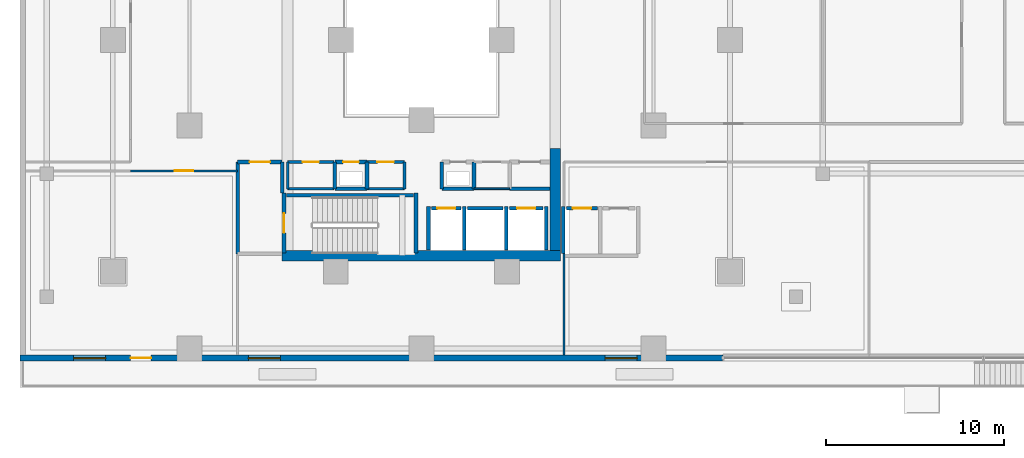
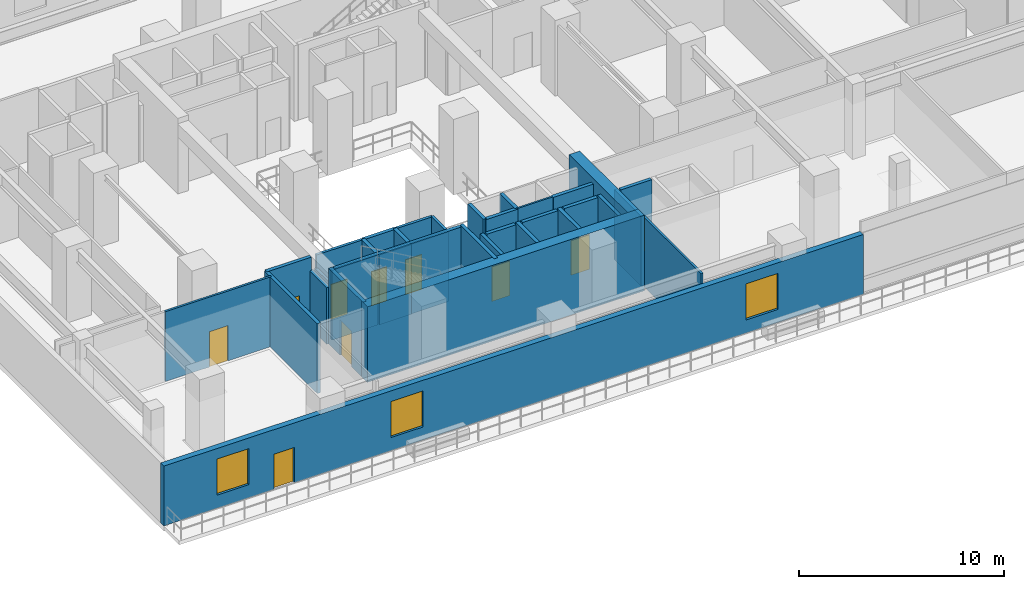
# One storey, part 12 of 24: 35 walls, 10 doors, 3 windows, 13 openings.
"""IFC4 building model written with IfcOpenShell, lengths in metres."""

from ifc_helpers import new_model, si_unit, direction, frame, frame_2d, origin, place, context, subcontext, project, spatial, rectangle, extrude, material, layer, layer_set, type_object, element, fill, save


model = new_model("IFC4")

# Units and contexts
model_context = context("Model", 3, precision=1e-05, world=origin(), true_north=direction((0.0, 1.0)))
body_context = subcontext(model_context, "Body", "Model", "MODEL_VIEW")
ifc_project = project(units=[si_unit("LENGTHUNIT", "METRE"), si_unit("AREAUNIT", "SQUARE_METRE"), si_unit("VOLUMEUNIT", "CUBIC_METRE"), si_unit("PLANEANGLEUNIT", "RADIAN"), si_unit("MASSUNIT", "GRAM", prefix="KILO")], contexts=[model_context])

# Site, building, storey
site_placement = place(None, origin())
site = spatial("IfcSite", under=ifc_project, at=site_placement, CompositionType="ELEMENT")
building_placement = place(site_placement, origin())
building = spatial("IfcBuilding", under=site, at=building_placement, Name="Thornwick Lancets Civic Towers", CompositionType="ELEMENT")
storey_placement = place(building_placement, frame((0.0, 0.0, 14.10009765625)))
storey = spatial("IfcBuildingStorey", under=building, at=storey_placement, Name="L03", CompositionType="ELEMENT", Elevation=14.10009765625)

# Wall, opening, door
ifc_material_1 = material(Name="Concrete blockwork C40/50", Category="masonry")
ifc_layer_1 = layer(ifc_material_1, 0.199951171875, Name="Concrete blockwork C40/50")
ifc_layer_set_1 = layer_set([ifc_layer_1], Name="Concrete blockwork C40/50")
wall_type_1 = type_object("IfcWallType", Name="WALL_COMP_200", PredefinedType="STANDARD", material=ifc_layer_set_1)
wall_1_placement = place(storey_placement, frame((26.080078125, 17.550048828125, 0.0), z_axis=(0.0, 0.0, 1.0), x_axis=(1.0, 0.0, 0.0)))
wall_1 = element("IfcWall", 1, at=wall_1_placement, inside=storey, type_object=wall_type_1, Name="L03 Hoistway Front Wall FL-A1", PredefinedType="STANDARD", context=body_context, shape_type="SweptSolid", body=[
    extrude(rectangle(XDim=1.639892578125, YDim=0.199951171875, at=frame_2d((0.81982421875, 0.0))), origin(), (0.0, 0.0, 1.0), 4.159912109375),
])
opening_1_placement = place(wall_1_placement, frame((0.31005859375, 0.0, 0.0)))
opening_1 = element("IfcOpeningElement", 2, at=opening_1_placement, cuts=wall_1, Name="Opening LD-FL-A1", PredefinedType="OPENING", context=body_context, shape_type="SweptSolid", body=[
    extrude(rectangle(XDim=1.02001953125, YDim=2.06005859375, at=frame_2d((0.510009765625, 1.030029296875))), frame((0.0, 0.10986328125, 0.0), z_axis=(0.0, -1.0, 0.0), x_axis=(1.0, 0.0, 0.0)), (0.0, 0.0, 1.0), 0.219970703125),
])
ifc_material_2 = material(Name="Brushed bronze stainless steel", Category="steel")
door_type_1 = type_object("IfcDoorType", Name="DOOR_LIFT_SLIDE", OperationType="SLIDING_TO_LEFT", PredefinedType="DOOR", material=ifc_material_2)
door_1_placement = place(opening_1_placement, origin())
door_1 = element("IfcDoor", 3, at=door_1_placement, inside=storey, type_object=door_type_1, Name="L03 Sliding Lift Landing Door LD-FL-A1", OperationType="SLIDING_TO_LEFT", OverallHeight=2.06005859375, OverallWidth=1.02001953125, PredefinedType="DOOR", context=body_context, shape_type="SweptSolid", body=[
    extrude(rectangle(XDim=1.02001953125, YDim=2.06005859375, at=frame_2d((0.510009765625, 1.030029296875))), frame((0.0, 0.02490234375, 0.0), z_axis=(0.0, -1.0, 0.0), x_axis=(1.0, 0.0, 0.0)), (0.0, 0.0, 1.0), 0.050048828125),
])
fill(opening_1, door_1)

# Wall
wall_2_placement = place(storey_placement, frame((28.080078125, 17.550048828125, 0.0), z_axis=(0.0, 0.0, 1.0), x_axis=(1.0, 0.0, 0.0)))
element("IfcWall", 4, at=wall_2_placement, inside=storey, type_object=wall_type_1, Name="L03 Hoistway Front Wall PL-AH1", PredefinedType="STANDARD", context=body_context, shape_type="SweptSolid", body=[
    extrude(rectangle(XDim=1.989990234375, YDim=0.199951171875, at=frame_2d((0.9951171875, 0.0))), origin(), (0.0, 0.0, 1.0), 4.159912109375),
])

# Wall, opening, door
wall_3_placement = place(storey_placement, frame((30.429931640625, 17.550048828125, 0.0), z_axis=(0.0, 0.0, 1.0), x_axis=(1.0, 0.0, 0.0)))
wall_3 = element("IfcWall", 5, at=wall_3_placement, inside=storey, type_object=wall_type_1, Name="L03 Hoistway Front Wall PL-AL1", PredefinedType="STANDARD", context=body_context, shape_type="SweptSolid", body=[
    extrude(rectangle(XDim=1.89013671875, YDim=0.199951171875, at=frame_2d((0.945068359375, 0.0))), origin(), (0.0, 0.0, 1.0), 4.159912109375),
])
opening_2_placement = place(wall_3_placement, frame((0.43505859375, 0.0, 0.0)))
opening_2 = element("IfcOpeningElement", 6, at=opening_2_placement, cuts=wall_3, Name="Opening LD-PL-AL1", PredefinedType="OPENING", context=body_context, shape_type="SweptSolid", body=[
    extrude(rectangle(XDim=1.02001953125, YDim=2.06005859375, at=frame_2d((0.510009765625, 1.030029296875))), frame((0.0, 0.10986328125, 0.0), z_axis=(0.0, -1.0, 0.0), x_axis=(1.0, 0.0, 0.0)), (0.0, 0.0, 1.0), 0.219970703125),
])
door_2_placement = place(opening_2_placement, origin())
door_2 = element("IfcDoor", 7, at=door_2_placement, inside=storey, type_object=door_type_1, Name="L03 Sliding Lift Landing Door LD-PL-AL1", OperationType="SLIDING_TO_LEFT", OverallHeight=2.06005859375, OverallWidth=1.02001953125, PredefinedType="DOOR", context=body_context, shape_type="SweptSolid", body=[
    extrude(rectangle(XDim=1.02001953125, YDim=2.06005859375, at=frame_2d((0.510009765625, 1.030029296875))), frame((0.0, 0.02490234375, 0.0), z_axis=(0.0, -1.0, 0.0), x_axis=(1.0, 0.0, 0.0)), (0.0, 0.0, 1.0), 0.050048828125),
])
fill(opening_2, door_2)

wall_4_placement = place(storey_placement, frame((33.6298828125, 17.550048828125, 0.0), z_axis=(0.0, 0.0, 1.0), x_axis=(1.0, 0.0, 0.0)))
wall_4 = element("IfcWall", 8, at=wall_4_placement, inside=storey, type_object=wall_type_1, Name="L03 Hoistway Front Wall PL-AL2", PredefinedType="STANDARD", context=body_context, shape_type="SweptSolid", body=[
    extrude(rectangle(XDim=1.740234375, YDim=0.199951171875, at=frame_2d((0.8701171875, 0.0))), origin(), (0.0, 0.0, 1.0), 4.159912109375),
])
opening_3_placement = place(wall_4_placement, frame((0.360107421875, 0.0, 0.0)))
opening_3 = element("IfcOpeningElement", 9, at=opening_3_placement, cuts=wall_4, Name="Opening LD-PL-AL2", PredefinedType="OPENING", context=body_context, shape_type="SweptSolid", body=[
    extrude(rectangle(XDim=1.02001953125, YDim=2.06005859375, at=frame_2d((0.510009765625, 1.030029296875))), frame((0.0, 0.10986328125, 0.0), z_axis=(0.0, -1.0, 0.0), x_axis=(1.0, 0.0, 0.0)), (0.0, 0.0, 1.0), 0.219970703125),
])
door_3_placement = place(opening_3_placement, origin())
door_3 = element("IfcDoor", 10, at=door_3_placement, inside=storey, type_object=door_type_1, Name="L03 Sliding Lift Landing Door LD-PL-AL2", OperationType="SLIDING_TO_LEFT", OverallHeight=2.06005859375, OverallWidth=1.02001953125, PredefinedType="DOOR", context=body_context, shape_type="SweptSolid", body=[
    extrude(rectangle(XDim=1.02001953125, YDim=2.06005859375, at=frame_2d((0.510009765625, 1.030029296875))), frame((0.0, 0.02490234375, 0.0), z_axis=(0.0, -1.0, 0.0), x_axis=(1.0, 0.0, 0.0)), (0.0, 0.0, 1.0), 0.050048828125),
])
fill(opening_3, door_3)

# Walls
for number, where, z_axis, x_axis, name in (
    (11, (27.89990234375, 15.2119140625, 0.0), (0.0, 0.0, 1.0), (0.0, 1.0, 0.0), "L03 Hoistway Shaft Wall FL-A1 E"),
    (12, (25.89990234375, 15.2119140625, 0.0), (0.0, 0.0, 1.0), (0.0, 1.0, 0.0), "L03 Hoistway Shaft Wall FL-A1 W"),
    (13, (30.25, 15.2119140625, 0.0), (0.0, 0.0, 1.0), (0.0, 1.0, 0.0), "L03 Hoistway Shaft Wall PL-AH1 E"),
    (14, (32.5, 15.2119140625, 0.0), (0.0, 0.0, 1.0), (0.0, 1.0, 0.0), "L03 Hoistway Shaft Wall PL-AL1 E"),
):
    element("IfcWall", number, at=place(storey_placement, frame(where, z_axis=z_axis, x_axis=x_axis)), inside=storey, type_object=wall_type_1, Name=name, PredefinedType="STANDARD", context=body_context, shape_type="SweptSolid", body=[
        extrude(rectangle(XDim=2.43603515625, YDim=0.199951171875, at=frame_2d((1.218017578125, 0.0))), origin(), (0.0, 0.0, 1.0), 4.159912109375),
    ])
wall_5_placement = place(storey_placement, frame((33.449951171875, 15.011962890625, 0.0), z_axis=(0.0, 0.0, 1.0), x_axis=(0.0, 1.0, 0.0)))
element("IfcWall", 15, at=wall_5_placement, inside=storey, type_object=wall_type_1, Name="L03 Hoistway Shaft Wall PL-AL2 W", PredefinedType="STANDARD", context=body_context, shape_type="SweptSolid", body=[
    extrude(rectangle(XDim=2.635986328125, YDim=0.199951171875, at=frame_2d((1.31787109375, 0.0))), origin(), (0.0, 0.0, 1.0), 4.159912109375),
])
wall_6_placement = place(storey_placement, frame((17.699951171875, 18.39990234375, 0.0), z_axis=(0.0, 0.0, 1.0), x_axis=(0.0, 1.0, 0.0)))
element("IfcWall", 16, at=wall_6_placement, inside=storey, type_object=wall_type_1, Name="L03 Partition L03-A-FFLOB1 E2", PredefinedType="STANDARD", context=body_context, shape_type="SweptSolid", body=[
    extrude(rectangle(XDim=1.75, YDim=0.199951171875, at=frame_2d((0.875, 0.0))), origin(), (0.0, 0.0, 1.0), 3.364990234375),
])

# Wall, opening, door
wall_7_placement = place(storey_placement, frame((17.699951171875, 20.14990234375, 0.0), z_axis=(0.0, 0.0, 1.0), x_axis=(-1.0, 0.0, 0.0)))
wall_7 = element("IfcWall", 17, at=wall_7_placement, inside=storey, type_object=wall_type_1, Name="L03 Partition L03-A-FFLOB1 E3", PredefinedType="STANDARD", context=body_context, shape_type="SweptSolid", body=[
    extrude(rectangle(XDim=2.5, YDim=0.199951171875, at=frame_2d((1.25, 0.0))), origin(), (0.0, 0.0, 1.0), 4.159912109375),
])
opening_4_placement = place(wall_7_placement, frame((0.675048828125, 0.0, 0.0)))
opening_4 = element("IfcOpeningElement", 18, at=opening_4_placement, cuts=wall_7, Name="Opening D-L03-0185", PredefinedType="OPENING", context=body_context, shape_type="SweptSolid", body=[
    extrude(rectangle(XDim=1.14990234375, YDim=2.10009765625, at=frame_2d((0.574951171875, 1.050048828125))), frame((0.0, 0.10986328125, 0.0), z_axis=(0.0, -1.0, 0.0), x_axis=(1.0, 0.0, 0.0)), (0.0, 0.0, 1.0), 0.219970703125),
])
ifc_material_3 = material(Name="Glazed fire-resisting steel", Category="steel")
door_type_2 = type_object("IfcDoorType", Name="DOOR_LOBBY_FD60", OperationType="NOTDEFINED", PredefinedType="DOOR", material=ifc_material_3)
door_4_placement = place(opening_4_placement, origin())
door_4 = element("IfcDoor", 19, at=door_4_placement, inside=storey, type_object=door_type_2, Name="L03 South Firefighting Lobby 1 Door", OperationType="SINGLE_SWING_RIGHT", OverallHeight=2.10009765625, OverallWidth=1.14990234375, PredefinedType="DOOR", context=body_context, shape_type="SweptSolid", body=[
    extrude(rectangle(XDim=1.14990234375, YDim=2.10009765625, at=frame_2d((0.574951171875, 1.050048828125))), frame((0.0, 0.02490234375, 0.0), z_axis=(0.0, -1.0, 0.0), x_axis=(1.0, 0.0, 0.0)), (0.0, 0.0, 1.0), 0.050048828125),
])
fill(opening_4, door_4)

# Walls
wall_8_placement = place(storey_placement, frame((15.199951171875, 20.14990234375, 0.0), z_axis=(0.0, 0.0, 1.0), x_axis=(0.0, -1.0, 0.0)))
element("IfcWall", 20, at=wall_8_placement, inside=storey, type_object=wall_type_1, Name="L03 Partition L03-A-FFLOB1 E4", PredefinedType="STANDARD", context=body_context, shape_type="SweptSolid", body=[
    extrude(rectangle(XDim=5.14990234375, YDim=0.199951171875, at=frame_2d((2.574951171875, 0.0))), origin(), (0.0, 0.0, 1.0), 4.159912109375),
])
wall_9_placement = place(storey_placement, frame((26.64990234375, 18.64990234375, 0.0), z_axis=(0.0, 0.0, 1.0), x_axis=(1.0, 0.0, 0.0)))
element("IfcWall", 21, at=wall_9_placement, inside=storey, type_object=wall_type_1, Name="L03 Partition L03-A-DUCT1 E1", PredefinedType="STANDARD", context=body_context, shape_type="SweptSolid", body=[
    extrude(rectangle(XDim=1.800048828125, YDim=0.199951171875, at=frame_2d((0.89990234375, 0.0))), origin(), (0.0, 0.0, 1.0), 4.159912109375),
])
for number, where, z_axis, x_axis, name in (
    (22, (28.449951171875, 18.64990234375, 0.0), (0.0, 0.0, 1.0), (0.0, 1.0, 0.0), "L03 Partition L03-A-DUCT1 E2"),
    (23, (26.64990234375, 20.14990234375, 0.0), (0.0, 0.0, 1.0), (0.0, -1.0, 0.0), "L03 Partition L03-A-DUCT1 E4"),
):
    element("IfcWall", number, at=place(storey_placement, frame(where, z_axis=z_axis, x_axis=x_axis)), inside=storey, type_object=wall_type_1, Name=name, PredefinedType="STANDARD", context=body_context, shape_type="SweptSolid", body=[
        extrude(rectangle(XDim=1.5, YDim=0.199951171875, at=frame_2d((0.75, 0.0))), origin(), (0.0, 0.0, 1.0), 4.159912109375),
    ])
wall_10_placement = place(storey_placement, frame((20.64990234375, 18.64990234375, 0.0), z_axis=(0.0, 0.0, 1.0), x_axis=(1.0, 0.0, 0.0)))
element("IfcWall", 24, at=wall_10_placement, inside=storey, type_object=wall_type_1, Name="L03 Partition L03-A-RISER1 E1", PredefinedType="STANDARD", context=body_context, shape_type="SweptSolid", body=[
    extrude(rectangle(XDim=1.800048828125, YDim=0.199951171875, at=frame_2d((0.89990234375, 0.0))), origin(), (0.0, 0.0, 1.0), 4.159912109375),
])
wall_11_placement = place(storey_placement, frame((22.449951171875, 18.64990234375, 0.0), z_axis=(0.0, 0.0, 1.0), x_axis=(0.0, 1.0, 0.0)))
element("IfcWall", 25, at=wall_11_placement, inside=storey, type_object=wall_type_1, Name="L03 Partition L03-A-RISER1 E2", PredefinedType="STANDARD", context=body_context, shape_type="SweptSolid", body=[
    extrude(rectangle(XDim=1.5, YDim=0.199951171875, at=frame_2d((0.75, 0.0))), origin(), (0.0, 0.0, 1.0), 4.159912109375),
])

# Wall, opening, door
wall_12_placement = place(storey_placement, frame((22.449951171875, 20.14990234375, 0.0), z_axis=(0.0, 0.0, 1.0), x_axis=(-1.0, 0.0, 0.0)))
wall_12 = element("IfcWall", 26, at=wall_12_placement, inside=storey, type_object=wall_type_1, Name="L03 Partition L03-A-RISER1 E3", PredefinedType="STANDARD", context=body_context, shape_type="SweptSolid", body=[
    extrude(rectangle(XDim=1.800048828125, YDim=0.199951171875, at=frame_2d((0.89990234375, 0.0))), origin(), (0.0, 0.0, 1.0), 4.159912109375),
])
opening_5_placement = place(wall_12_placement, frame((0.4599609375, 0.0, 0.0)))
opening_5 = element("IfcOpeningElement", 27, at=opening_5_placement, cuts=wall_12, Name="Opening D-L03-0188", PredefinedType="OPENING", context=body_context, shape_type="SweptSolid", body=[
    extrude(rectangle(XDim=0.8798828125, YDim=2.0400390625, at=frame_2d((0.43994140625, 1.02001953125))), frame((0.0, 0.10986328125, 0.0), z_axis=(0.0, -1.0, 0.0), x_axis=(1.0, 0.0, 0.0)), (0.0, 0.0, 1.0), 0.219970703125),
])
ifc_material_4 = material(Name="Steel riser access doorset", Category="steel")
door_type_3 = type_object("IfcDoorType", Name="DOOR_RISER_850", OperationType="NOTDEFINED", PredefinedType="DOOR", material=ifc_material_4)
door_5_placement = place(opening_5_placement, origin())
door_5 = element("IfcDoor", 28, at=door_5_placement, inside=storey, type_object=door_type_3, Name="L03 South Electrical Riser 1 Door", OperationType="SINGLE_SWING_LEFT", OverallHeight=2.0400390625, OverallWidth=0.8798828125, PredefinedType="DOOR", context=body_context, shape_type="SweptSolid", body=[
    extrude(rectangle(XDim=0.8798828125, YDim=2.0400390625, at=frame_2d((0.43994140625, 1.02001953125))), frame((0.0, 0.02490234375, 0.0), z_axis=(0.0, -1.0, 0.0), x_axis=(1.0, 0.0, 0.0)), (0.0, 0.0, 1.0), 0.050048828125),
])
fill(opening_5, door_5)

# Walls
wall_13_placement = place(storey_placement, frame((20.64990234375, 20.14990234375, 0.0), z_axis=(0.0, 0.0, 1.0), x_axis=(0.0, -1.0, 0.0)))
element("IfcWall", 29, at=wall_13_placement, inside=storey, type_object=wall_type_1, Name="L03 Partition L03-A-RISER1 E4", PredefinedType="STANDARD", context=body_context, shape_type="SweptSolid", body=[
    extrude(rectangle(XDim=1.5, YDim=0.199951171875, at=frame_2d((0.75, 0.0))), origin(), (0.0, 0.0, 1.0), 4.159912109375),
])
wall_14_placement = place(storey_placement, frame((32.699951171875, 18.64990234375, 0.0), z_axis=(0.0, 0.0, 1.0), x_axis=(-1.0, 0.0, 0.0)))
element("IfcWall", 30, at=wall_14_placement, inside=storey, type_object=wall_type_1, Name="L03 Partition L03-A-ITR2 E2", PredefinedType="STANDARD", context=body_context, shape_type="SweptSolid", body=[
    extrude(rectangle(XDim=2.25, YDim=0.199951171875, at=frame_2d((1.125, 0.0))), origin(), (0.0, 0.0, 1.0), 4.159912109375),
])
ifc_material_5 = material(Name="Concrete C60/75", Category="concrete")
ifc_layer_2 = layer(ifc_material_5, 0.60009765625, Name="Concrete C60/75")
ifc_layer_set_2 = layer_set([ifc_layer_2], Name="Concrete C60/75")
wall_type_2 = type_object("IfcWallType", Name="WALL_CORE_600", PredefinedType="SHEAR", material=ifc_layer_set_2)
wall_15_placement = place(storey_placement, frame((17.699951171875, 14.89990234375, 0.0), z_axis=(0.0, 0.0, 1.0), x_axis=(1.0, 0.0, 0.0)))
element("IfcWall", 31, at=wall_15_placement, inside=storey, type_object=wall_type_2, Name="L03 Split Core A1 Shear Wall S", PredefinedType="SHEAR", context=body_context, shape_type="SweptSolid", body=[
    extrude(rectangle(XDim=15.60009765625, YDim=0.60009765625, at=frame_2d((7.800048828125, 0.0))), origin(), (0.0, 0.0, 1.0), 4.5),
])
wall_16_placement = place(storey_placement, frame((33.0, 15.199951171875, 0.0), z_axis=(0.0, 0.0, 1.0), x_axis=(0.0, 1.0, 0.0)))
element("IfcWall", 32, at=wall_16_placement, inside=storey, type_object=wall_type_2, Name="L03 Split Core A1 Shear Wall E", PredefinedType="SHEAR", context=body_context, shape_type="SweptSolid", body=[
    extrude(rectangle(XDim=5.699951171875, YDim=0.60009765625, at=frame_2d((2.85009765625, 0.0))), origin(), (0.0, 0.0, 1.0), 4.5),
])

# Wall, openings, door, windows
ifc_material_6 = material(Name="Insulated buff terracotta rainscreen on concrete C40/50", Category="masonry")
ifc_layer_3 = layer(ifc_material_6, 0.320068359375, Name="Insulated buff terracotta rainscreen on concrete C40/50")
ifc_layer_set_3 = layer_set([ifc_layer_3], Name="Insulated buff terracotta rainscreen on concrete C40/50")
wall_type_3 = type_object("IfcWallType", Name="WALL_EXT_TERRA_320", PredefinedType="STANDARD", material=ifc_layer_set_3)
wall_17_placement = place(storey_placement, frame((3.0, 9.159912109375, 0.0), z_axis=(0.0, 0.0, 1.0), x_axis=(1.0, 0.0, 0.0)))
wall_17 = element("IfcWall", 33, at=wall_17_placement, inside=storey, type_object=wall_type_3, Name="L03 Podium South-West Facade Wall", PredefinedType="STANDARD", context=body_context, shape_type="SweptSolid", body=[
    extrude(rectangle(XDim=39.39990234375, YDim=0.320068359375, at=frame_2d((19.699951171875, 0.0))), origin(), (0.0, 0.0, 1.0), 3.559814453125),
])
opening_6_placement = place(wall_17_placement, frame((6.199951171875, 0.0, 0.0)))
opening_6 = element("IfcOpeningElement", 34, at=opening_6_placement, cuts=wall_17, Name="Opening D-TR-L03-1", PredefinedType="OPENING", context=body_context, shape_type="SweptSolid", body=[
    extrude(rectangle(XDim=1.14990234375, YDim=2.10009765625, at=frame_2d((0.574951171875, 1.050048828125))), frame((0.0, 0.169921875, 0.0), z_axis=(0.0, -1.0, 0.0), x_axis=(1.0, 0.0, 0.0)), (0.0, 0.0, 1.0), 0.340087890625),
])
opening_7_placement = place(wall_17_placement, frame((3.0, 0.0, 0.780029296875)))
opening_7 = element("IfcOpeningElement", 35, at=opening_7_placement, cuts=wall_17, Name="Opening WP-18", PredefinedType="OPENING", context=body_context, shape_type="SweptSolid", body=[
    extrude(rectangle(XDim=1.800048828125, YDim=2.14990234375, at=frame_2d((0.89990234375, 1.074951171875))), frame((0.0, 0.169921875, 0.0), z_axis=(0.0, -1.0, 0.0), x_axis=(1.0, 0.0, 0.0)), (0.0, 0.0, 1.0), 0.340087890625),
])
opening_8_placement = place(wall_17_placement, frame((12.800048828125, 0.0, 0.780029296875)))
opening_8 = element("IfcOpeningElement", 36, at=opening_8_placement, cuts=wall_17, Name="Opening WP-18", PredefinedType="OPENING", context=body_context, shape_type="SweptSolid", body=[
    extrude(rectangle(XDim=1.800048828125, YDim=2.14990234375, at=frame_2d((0.89990234375, 1.074951171875))), frame((0.0, 0.169921875, 0.0), z_axis=(0.0, -1.0, 0.0), x_axis=(1.0, 0.0, 0.0)), (0.0, 0.0, 1.0), 0.340087890625),
])
opening_9_placement = place(wall_17_placement, frame((32.800048828125, 0.0, 0.780029296875)))
opening_9 = element("IfcOpeningElement", 37, at=opening_9_placement, cuts=wall_17, Name="Opening WP-18", PredefinedType="OPENING", context=body_context, shape_type="SweptSolid", body=[
    extrude(rectangle(XDim=1.800048828125, YDim=2.14990234375, at=frame_2d((0.89990234375, 1.074951171875))), frame((0.0, 0.169921875, 0.0), z_axis=(0.0, -1.0, 0.0), x_axis=(1.0, 0.0, 0.0)), (0.0, 0.0, 1.0), 0.340087890625),
])
ifc_material_7 = material(Name="Thermally broken glazed terrace doorset")
door_type_4 = type_object("IfcDoorType", Name="DOOR_TERRACE_1200", OperationType="NOTDEFINED", PredefinedType="DOOR", material=ifc_material_7)
door_6_placement = place(opening_6_placement, origin())
door_6 = element("IfcDoor", 38, at=door_6_placement, inside=storey, type_object=door_type_4, Name="L03 Cascading Garden Terrace Door 1", OperationType="SINGLE_SWING_LEFT", OverallHeight=2.10009765625, OverallWidth=1.14990234375, PredefinedType="DOOR", context=body_context, shape_type="SweptSolid", body=[
    extrude(rectangle(XDim=1.14990234375, YDim=2.10009765625, at=frame_2d((0.574951171875, 1.050048828125))), frame((0.0, 0.02490234375, 0.0), z_axis=(0.0, -1.0, 0.0), x_axis=(1.0, 0.0, 0.0)), (0.0, 0.0, 1.0), 0.050048828125),
])
fill(opening_6, door_6)
ifc_material_8 = material(Name="Pointed lancet clear glass window", Category="glass")
window_type = type_object("IfcWindowType", Name="WIN_PODIUM_1800", PartitioningType="SINGLE_PANEL", PredefinedType="WINDOW", material=ifc_material_8)
window_1_placement = place(opening_7_placement, origin())
window_1 = element("IfcWindow", 39, at=window_1_placement, inside=storey, type_object=window_type, Name="L03 Podium Lancet Window 1", OverallHeight=2.14990234375, OverallWidth=1.800048828125, PartitioningType="SINGLE_PANEL", PredefinedType="WINDOW", context=body_context, shape_type="SweptSolid", body=[
    extrude(rectangle(XDim=1.800048828125, YDim=2.14990234375, at=frame_2d((0.89990234375, 1.074951171875))), frame((0.0, 0.030029296875, 0.0), z_axis=(0.0, -1.0, 0.0), x_axis=(1.0, 0.0, 0.0)), (0.0, 0.0, 1.0), 0.06005859375),
])
fill(opening_7, window_1)
window_2_placement = place(opening_8_placement, origin())
window_2 = element("IfcWindow", 40, at=window_2_placement, inside=storey, type_object=window_type, Name="L03 Podium Lancet Window 2", OverallHeight=2.14990234375, OverallWidth=1.800048828125, PartitioningType="SINGLE_PANEL", PredefinedType="WINDOW", context=body_context, shape_type="SweptSolid", body=[
    extrude(rectangle(XDim=1.800048828125, YDim=2.14990234375, at=frame_2d((0.89990234375, 1.074951171875))), frame((0.0, 0.030029296875, 0.0), z_axis=(0.0, -1.0, 0.0), x_axis=(1.0, 0.0, 0.0)), (0.0, 0.0, 1.0), 0.06005859375),
])
fill(opening_8, window_2)
window_3_placement = place(opening_9_placement, origin())
window_3 = element("IfcWindow", 41, at=window_3_placement, inside=storey, type_object=window_type, Name="L03 Podium Lancet Window 4", OverallHeight=2.14990234375, OverallWidth=1.800048828125, PartitioningType="SINGLE_PANEL", PredefinedType="WINDOW", context=body_context, shape_type="SweptSolid", body=[
    extrude(rectangle(XDim=1.800048828125, YDim=2.14990234375, at=frame_2d((0.89990234375, 1.074951171875))), frame((0.0, 0.030029296875, 0.0), z_axis=(0.0, -1.0, 0.0), x_axis=(1.0, 0.0, 0.0)), (0.0, 0.0, 1.0), 0.06005859375),
])
fill(opening_9, window_3)

# Wall
ifc_material_9 = material(Name="Lightweight cellular office partition")
ifc_layer_4 = layer(ifc_material_9, 0.10009765625, Name="Lightweight cellular office partition")
ifc_layer_set_4 = layer_set([ifc_layer_4], Name="Lightweight cellular office partition")
wall_type_4 = type_object("IfcWallType", Name="WALL_PART_100", PredefinedType="PARTITIONING", material=ifc_layer_set_4)
wall_18_placement = place(storey_placement, frame((30.449951171875, 18.64990234375, 0.0), z_axis=(0.0, 0.0, 1.0), x_axis=(-1.0, 0.0, 0.0)))
element("IfcWall", 42, at=wall_18_placement, inside=storey, type_object=wall_type_4, Name="L03 Partition L03-A-CLN E2", PredefinedType="PARTITIONING", context=body_context, shape_type="SweptSolid", body=[
    extrude(rectangle(XDim=2.0, YDim=0.10009765625, at=frame_2d((1.0, 0.0))), origin(), (0.0, 0.0, 1.0), 4.159912109375),
])

# Wall, opening, door
ifc_material_10 = material(Name="Acoustic gypsum board partition")
ifc_layer_5 = layer(ifc_material_10, 0.1201171875, Name="Acoustic gypsum board partition")
ifc_layer_set_5 = layer_set([ifc_layer_5], Name="Acoustic gypsum board partition")
wall_type_5 = type_object("IfcWallType", Name="WALL_PART_120", PredefinedType="PARTITIONING", material=ifc_layer_set_5)
wall_19_placement = place(storey_placement, frame((9.199951171875, 19.64990234375, 0.0), z_axis=(0.0, 0.0, 1.0), x_axis=(1.0, 0.0, 0.0)))
wall_19 = element("IfcWall", 43, at=wall_19_placement, inside=storey, type_object=wall_type_5, Name="L03 Partition L03-MINW E4", PredefinedType="PARTITIONING", context=body_context, shape_type="SweptSolid", body=[
    extrude(rectangle(XDim=6.0, YDim=0.1201171875, at=frame_2d((3.0, 0.0))), origin(), (0.0, 0.0, 1.0), 4.159912109375),
])
opening_10_placement = place(wall_19_placement, frame((2.47509765625, 0.0, 0.0)))
opening_10 = element("IfcOpeningElement", 44, at=opening_10_placement, cuts=wall_19, Name="Opening D-L03-0212", PredefinedType="OPENING", context=body_context, shape_type="SweptSolid", body=[
    extrude(rectangle(XDim=1.050048828125, YDim=2.10009765625, at=frame_2d((0.52490234375, 1.050048828125))), frame((0.0, 0.070068359375, 0.0), z_axis=(0.0, -1.0, 0.0), x_axis=(1.0, 0.0, 0.0)), (0.0, 0.0, 1.0), 0.14013671875),
])
ifc_material_11 = material(Name="Glazed European oak executive doorset")
door_type_5 = type_object("IfcDoorType", Name="DOOR_OFFICE_1050", OperationType="NOTDEFINED", PredefinedType="DOOR", material=ifc_material_11)
door_7_placement = place(opening_10_placement, origin())
door_7 = element("IfcDoor", 45, at=door_7_placement, inside=storey, type_object=door_type_5, Name="L03 Ministry Policy Directorate West Door", OperationType="SINGLE_SWING_LEFT", OverallHeight=2.10009765625, OverallWidth=1.050048828125, PredefinedType="DOOR", context=body_context, shape_type="SweptSolid", body=[
    extrude(rectangle(XDim=1.050048828125, YDim=2.10009765625, at=frame_2d((0.52490234375, 1.050048828125))), frame((0.0, 0.02490234375, 0.0), z_axis=(0.0, -1.0, 0.0), x_axis=(1.0, 0.0, 0.0)), (0.0, 0.0, 1.0), 0.050048828125),
])
fill(opening_10, door_7)

# Walls
wall_20_placement = place(storey_placement, frame((33.5, 9.320068359375, 0.0), z_axis=(0.0, 0.0, 1.0), x_axis=(0.0, 1.0, 0.0)))
element("IfcWall", 46, at=wall_20_placement, inside=storey, type_object=wall_type_5, Name="L03 Partition L03-RECEP E2", PredefinedType="PARTITIONING", context=body_context, shape_type="SweptSolid", body=[
    extrude(rectangle(XDim=5.69189453125, YDim=0.1201171875, at=frame_2d((2.845947265625, 0.0))), origin(), (0.0, 0.0, 1.0), 4.159912109375),
])
ifc_material_12 = material(Name="Twin-stud acoustic gypsum board")
ifc_layer_6 = layer(ifc_material_12, 0.14990234375, Name="Twin-stud acoustic gypsum board")
ifc_layer_set_6 = layer_set([ifc_layer_6], Name="Twin-stud acoustic gypsum board")
wall_type_6 = type_object("IfcWallType", Name="WALL_PART_150", PredefinedType="PARTITIONING", material=ifc_layer_set_6)
wall_21_placement = place(storey_placement, frame((18.0, 18.64990234375, 0.0), z_axis=(0.0, 0.0, 1.0), x_axis=(1.0, 0.0, 0.0)))
element("IfcWall", 47, at=wall_21_placement, inside=storey, type_object=wall_type_6, Name="L03 Partition L03-A-MWC E1", PredefinedType="PARTITIONING", context=body_context, shape_type="SweptSolid", body=[
    extrude(rectangle(XDim=2.60009765625, YDim=0.14990234375, at=frame_2d((1.300048828125, 0.0))), origin(), (0.0, 0.0, 1.0), 4.159912109375),
])

# Wall, opening, door
wall_22_placement = place(storey_placement, frame((20.60009765625, 20.14990234375, 0.0), z_axis=(0.0, 0.0, 1.0), x_axis=(-1.0, 0.0, 0.0)))
wall_22 = element("IfcWall", 48, at=wall_22_placement, inside=storey, type_object=wall_type_6, Name="L03 Partition L03-A-MWC E3", PredefinedType="PARTITIONING", context=body_context, shape_type="SweptSolid", body=[
    extrude(rectangle(XDim=2.60009765625, YDim=0.14990234375, at=frame_2d((1.300048828125, 0.0))), origin(), (0.0, 0.0, 1.0), 4.159912109375),
])
opening_11_placement = place(wall_22_placement, frame((0.840087890625, 0.0, 0.0)))
opening_11 = element("IfcOpeningElement", 49, at=opening_11_placement, cuts=wall_22, Name="Opening D-L03-0191", PredefinedType="OPENING", context=body_context, shape_type="SweptSolid", body=[
    extrude(rectangle(XDim=0.919921875, YDim=2.080078125, at=frame_2d((0.4599609375, 1.0400390625))), frame((0.0, 0.0849609375, 0.0), z_axis=(0.0, -1.0, 0.0), x_axis=(1.0, 0.0, 0.0)), (0.0, 0.0, 1.0), 0.169921875),
])
ifc_material_13 = material(Name="Moisture-resistant oak doorset")
door_type_6 = type_object("IfcDoorType", Name="DOOR_WC_900", OperationType="NOTDEFINED", PredefinedType="DOOR", material=ifc_material_13)
door_8_placement = place(opening_11_placement, origin())
door_8 = element("IfcDoor", 50, at=door_8_placement, inside=storey, type_object=door_type_6, Name="L03 Tower A Male WC Door", OperationType="SINGLE_SWING_RIGHT", OverallHeight=2.080078125, OverallWidth=0.919921875, PredefinedType="DOOR", context=body_context, shape_type="SweptSolid", body=[
    extrude(rectangle(XDim=0.919921875, YDim=2.080078125, at=frame_2d((0.4599609375, 1.0400390625))), frame((0.0, 0.02490234375, 0.0), z_axis=(0.0, -1.0, 0.0), x_axis=(1.0, 0.0, 0.0)), (0.0, 0.0, 1.0), 0.050048828125),
])
fill(opening_11, door_8)

# Walls
wall_23_placement = place(storey_placement, frame((18.0, 20.14990234375, 0.0), z_axis=(0.0, 0.0, 1.0), x_axis=(0.0, -1.0, 0.0)))
element("IfcWall", 51, at=wall_23_placement, inside=storey, type_object=wall_type_6, Name="L03 Partition L03-A-MWC E4", PredefinedType="PARTITIONING", context=body_context, shape_type="SweptSolid", body=[
    extrude(rectangle(XDim=1.5, YDim=0.14990234375, at=frame_2d((0.75, 0.0))), origin(), (0.0, 0.0, 1.0), 3.364990234375),
])
wall_24_placement = place(storey_placement, frame((24.550048828125, 20.14990234375, 0.0), z_axis=(0.0, 0.0, 1.0), x_axis=(0.0, -1.0, 0.0)))
element("IfcWall", 52, at=wall_24_placement, inside=storey, type_object=wall_type_6, Name="L03 Partition L03-A-AWC E1", PredefinedType="PARTITIONING", context=body_context, shape_type="SweptSolid", body=[
    extrude(rectangle(XDim=1.5, YDim=0.14990234375, at=frame_2d((0.75, 0.0))), origin(), (0.0, 0.0, 1.0), 4.159912109375),
])
wall_25_placement = place(storey_placement, frame((24.550048828125, 18.64990234375, 0.0), z_axis=(0.0, 0.0, 1.0), x_axis=(-1.0, 0.0, 0.0)))
element("IfcWall", 53, at=wall_25_placement, inside=storey, type_object=wall_type_6, Name="L03 Partition L03-A-AWC E2", PredefinedType="PARTITIONING", context=body_context, shape_type="SweptSolid", body=[
    extrude(rectangle(XDim=2.10009765625, YDim=0.14990234375, at=frame_2d((1.050048828125, 0.0))), origin(), (0.0, 0.0, 1.0), 4.159912109375),
])

# Wall, opening, door
wall_26_placement = place(storey_placement, frame((22.449951171875, 20.14990234375, 0.0), z_axis=(0.0, 0.0, 1.0), x_axis=(1.0, 0.0, 0.0)))
wall_26 = element("IfcWall", 54, at=wall_26_placement, inside=storey, type_object=wall_type_6, Name="L03 Partition L03-A-AWC E4", PredefinedType="PARTITIONING", context=body_context, shape_type="SweptSolid", body=[
    extrude(rectangle(XDim=2.10009765625, YDim=0.14990234375, at=frame_2d((1.050048828125, 0.0))), origin(), (0.0, 0.0, 1.0), 4.159912109375),
])
opening_12_placement = place(wall_26_placement, frame((0.590087890625, 0.0, 0.0)))
opening_12 = element("IfcOpeningElement", 55, at=opening_12_placement, cuts=wall_26, Name="Opening D-L03-0192", PredefinedType="OPENING", context=body_context, shape_type="SweptSolid", body=[
    extrude(rectangle(XDim=0.919921875, YDim=2.080078125, at=frame_2d((0.4599609375, 1.0400390625))), frame((0.0, 0.0849609375, 0.0), z_axis=(0.0, -1.0, 0.0), x_axis=(1.0, 0.0, 0.0)), (0.0, 0.0, 1.0), 0.169921875),
])
door_9_placement = place(opening_12_placement, origin())
door_9 = element("IfcDoor", 56, at=door_9_placement, inside=storey, type_object=door_type_6, Name="L03 Tower A Accessible WC Door", OperationType="SINGLE_SWING_LEFT", OverallHeight=2.080078125, OverallWidth=0.919921875, PredefinedType="DOOR", context=body_context, shape_type="SweptSolid", body=[
    extrude(rectangle(XDim=0.919921875, YDim=2.080078125, at=frame_2d((0.4599609375, 1.0400390625))), frame((0.0, 0.02490234375, 0.0), z_axis=(0.0, -1.0, 0.0), x_axis=(1.0, 0.0, 0.0)), (0.0, 0.0, 1.0), 0.050048828125),
])
fill(opening_12, door_9)

ifc_material_14 = material(Name="Concrete C40/50", Category="concrete")
ifc_layer_7 = layer(ifc_material_14, 0.199951171875, Name="Concrete C40/50")
ifc_layer_set_7 = layer_set([ifc_layer_7], Name="Concrete C40/50")
wall_type_7 = type_object("IfcWallType", Name="WALL_SHAFT_200", PredefinedType="SHEAR", material=ifc_layer_set_7)
wall_27_placement = place(storey_placement, frame((17.800048828125, 15.050048828125, 0.0), z_axis=(0.0, 0.0, 1.0), x_axis=(0.0, 1.0, 0.0)))
wall_27 = element("IfcWall", 57, at=wall_27_placement, inside=storey, type_object=wall_type_7, Name="L03 ST-A1 Fire Stair Core Wall NEAR", PredefinedType="SHEAR", context=body_context, shape_type="SweptSolid", body=[
    extrude(rectangle(XDim=3.349853515625, YDim=0.199951171875, at=frame_2d((1.6748046875, 0.0))), origin(), (0.0, 0.0, 1.0), 4.5),
])
opening_13_placement = place(wall_27_placement, frame((1.125, 0.0, 0.0)))
opening_13 = element("IfcOpeningElement", 58, at=opening_13_placement, cuts=wall_27, Name="Opening D-ST-A1-L03", PredefinedType="OPENING", context=body_context, shape_type="SweptSolid", body=[
    extrude(rectangle(XDim=1.10009765625, YDim=2.10009765625, at=frame_2d((0.550048828125, 1.050048828125))), frame((0.0, 0.10986328125, 0.0), z_axis=(0.0, -1.0, 0.0), x_axis=(1.0, 0.0, 0.0)), (0.0, 0.0, 1.0), 0.219970703125),
])
ifc_material_15 = material(Name="Fire-resisting steel and hardwood", Category="steel")
door_type_7 = type_object("IfcDoorType", Name="DOOR_STAIR_FD60", OperationType="NOTDEFINED", PredefinedType="DOOR", material=ifc_material_15)
door_10_placement = place(opening_13_placement, origin())
door_10 = element("IfcDoor", 59, at=door_10_placement, inside=storey, type_object=door_type_7, Name="L03 ST-A1 Exit Stair Door", OperationType="SINGLE_SWING_RIGHT", OverallHeight=2.10009765625, OverallWidth=1.10009765625, PredefinedType="DOOR", context=body_context, shape_type="SweptSolid", body=[
    extrude(rectangle(XDim=1.10009765625, YDim=2.10009765625, at=frame_2d((0.550048828125, 1.050048828125))), frame((0.0, 0.02490234375, 0.0), z_axis=(0.0, -1.0, 0.0), x_axis=(1.0, 0.0, 0.0)), (0.0, 0.0, 1.0), 0.050048828125),
])
fill(opening_13, door_10)

# Walls
wall_28_placement = place(storey_placement, frame((25.199951171875, 18.39990234375, 0.0), z_axis=(0.0, 0.0, 1.0), x_axis=(0.0, -1.0, 0.0)))
element("IfcWall", 60, at=wall_28_placement, inside=storey, type_object=wall_type_7, Name="L03 ST-A1 Fire Stair Core Wall FAR", PredefinedType="SHEAR", context=body_context, shape_type="SweptSolid", body=[
    extrude(rectangle(XDim=3.349853515625, YDim=0.199951171875, at=frame_2d((1.6748046875, 0.0))), origin(), (0.0, 0.0, 1.0), 4.5),
])
wall_29_placement = place(storey_placement, frame((25.050048828125, 18.297119140625, 0.0), z_axis=(0.0, 0.0, 1.0), x_axis=(-1.0, 0.0, 0.0)))
element("IfcWall", 61, at=wall_29_placement, inside=storey, type_object=wall_type_7, Name="L03 ST-A1 Fire Stair Core Wall RIGHT", PredefinedType="SHEAR", context=body_context, shape_type="SweptSolid", body=[
    extrude(rectangle(XDim=7.10009765625, YDim=0.199951171875, at=frame_2d((3.550048828125, 0.0))), origin(), (0.0, 0.0, 1.0), 4.5),
])

save(model, "model.ifc")
